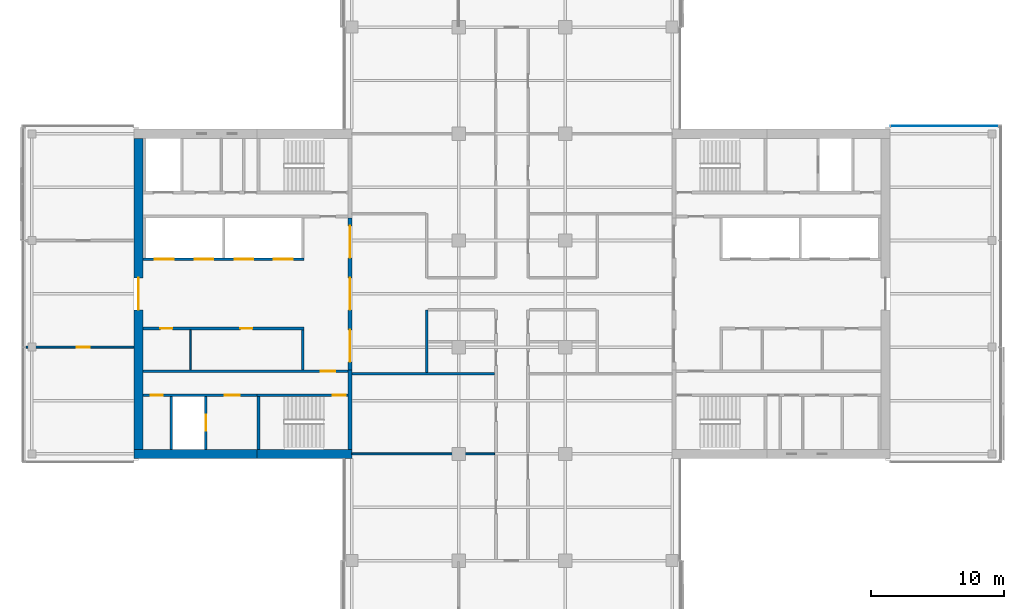
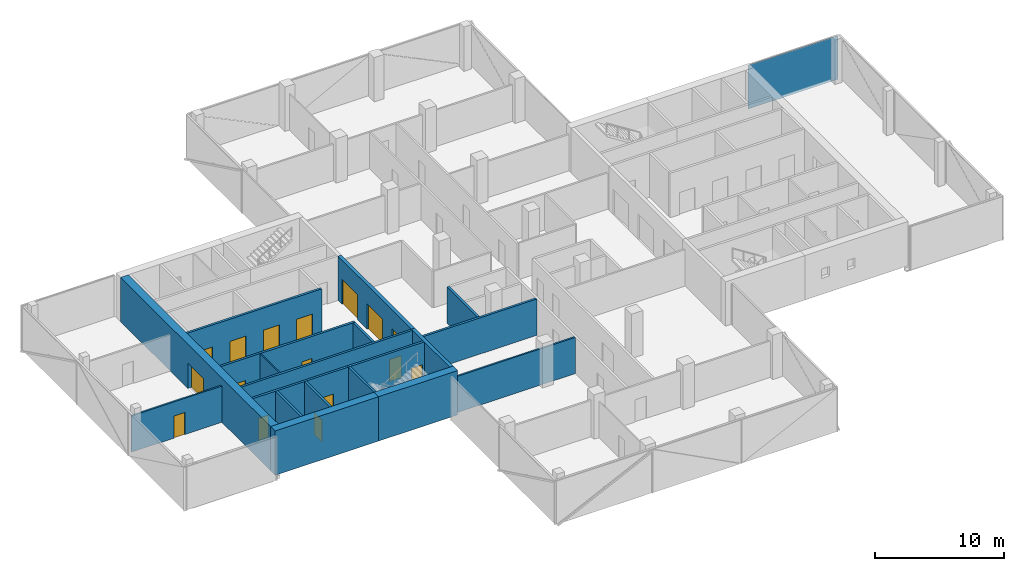
# One storey, part 13 of 22: 19 walls, 16 doors, 1 plate, 16 openings, 1 element without a shape of its own.
"""IFC4 building model written with IfcOpenShell, lengths in metres."""

from ifc_helpers import new_model, si_unit, direction, frame, frame_2d, origin, place, context, subcontext, project, spatial, polyline, rectangle, outline, extrude, material, layer, layer_set, constituent, constituent_set, type_object, element, fill, aggregate, save


model = new_model("IFC4")

# Units and contexts
model_context = context("Model", 3, precision=1e-05, world=origin(), true_north=direction((0.0, 1.0)))
body_context = subcontext(model_context, "Body", "Model", "MODEL_VIEW")
ifc_project = project(units=[si_unit("LENGTHUNIT", "METRE"), si_unit("AREAUNIT", "SQUARE_METRE"), si_unit("VOLUMEUNIT", "CUBIC_METRE"), si_unit("PLANEANGLEUNIT", "RADIAN"), si_unit("MASSUNIT", "GRAM", prefix="KILO")], contexts=[model_context])

# Site, building, storey
site_placement = place(None, origin())
site = spatial("IfcSite", under=ifc_project, at=site_placement, CompositionType="ELEMENT")
building_placement = place(site_placement, origin())
building = spatial("IfcBuilding", under=site, at=building_placement, Name="Crosswind Convention Tower", CompositionType="ELEMENT")
storey_placement = place(building_placement, frame((0.0, 0.0, 158.89990234375)))
storey = spatial("IfcBuildingStorey", under=building, at=storey_placement, Name="L33", CompositionType="ELEMENT", Elevation=158.89990234375)

# Curtain wall, plate
ifc_material_1 = material(Name="Aluminium unitised curtain wall", Category="aluminium")
curtain_wall_type = type_object("IfcCurtainWallType", Name="CORE END SLOT WALL 160", PredefinedType="USERDEFINED", material=ifc_material_1)
curtain_wall_placement = place(storey_placement, origin())
curtain_wall = element("IfcCurtainWall", 1, at=curtain_wall_placement, inside=storey, type_object=curtain_wall_type, Name="CW6 L33 E-N.1-1 slot", ObjectType="UNITISED", PredefinedType="USERDEFINED")
ifc_material_2 = material(Name="Laminated insulating glass unit", Category="glass")
ifc_layer_1 = layer(ifc_material_2, 0.02587890625)
ifc_layer_set_1 = layer_set([ifc_layer_1], Name="TRIANGULAR GLASS PANEL 26")
plate_type = type_object("IfcPlateType", Name="TRIANGULAR GLASS PANEL 26", PredefinedType="CURTAIN_PANEL", material=ifc_layer_set_1)
plate_placement = place(storey_placement, frame((161.449951171875, 112.60693359375, -0.2998046875), z_axis=(0.0, 0.999999915205, 0.00041181312), x_axis=(-1.0, 0.0, 0.0)))
plate = element("IfcPlate", 2, at=plate_placement, type_object=plate_type, Name="CW6 panel 1.1", PredefinedType="CURTAIN_PANEL", context=body_context, shape_type="SweptSolid", body=[
    extrude(outline(polyline([(0.0, 0.0), (8.050048828125, 0.0), (8.050048828125, 4.149902695641108), (0.0, 4.149902695641108), (0.0, 0.0)])), origin(), (0.0, 0.0, -1.0), 0.02587890625),
])
aggregate(curtain_wall, [plate])

# Walls
ifc_material_3 = material(Name="Concrete blockwork", Category="masonry")
ifc_layer_2 = layer(ifc_material_3, 0.199951171875)
ifc_layer_set_2 = layer_set([ifc_layer_2], Name="COMPARTMENT WALL 200 BLOCKWORK")
wall_type_1 = type_object("IfcWallType", Name="COMPARTMENT WALL 200 BLOCKWORK", PredefinedType="SOLIDWALL", material=ifc_layer_set_2)
wall_1_placement = place(storey_placement, frame((118.60009765625, 94.10009765625, 0.0), z_axis=(0.0, 0.0, 1.0), x_axis=(0.0, 1.0, 0.0)))
element("IfcWall", 3, at=wall_1_placement, inside=storey, type_object=wall_type_1, Name="Compartment wall WT42", PredefinedType="SOLIDWALL", context=body_context, shape_type="SweptSolid", body=[
    extrude(rectangle(XDim=4.699951171875, YDim=0.199951171875, at=frame_2d((2.35009765625, 0.0))), origin(), (0.0, 0.0, 1.0), 3.4365234375),
])
wall_2_placement = place(storey_placement, frame((113.0, 94.0, 0.0), z_axis=(0.0, 0.0, 1.0), x_axis=(1.0, 0.0, 0.0)))
element("IfcWall", 4, at=wall_2_placement, inside=storey, type_object=wall_type_1, Name="Compartment wall WT42", PredefinedType="SOLIDWALL", context=body_context, shape_type="SweptSolid", body=[
    extrude(rectangle(XDim=10.699951171875, YDim=0.199951171875, at=frame_2d((5.35009765625, 0.0))), origin(), (0.0, 0.0, 1.0), 3.4365234375),
])

# Wall, opening, door
ifc_material_4 = material(Name="Concrete C60/75", Category="concrete")
ifc_layer_3 = layer(ifc_material_4, 0.699951171875)
ifc_layer_set_3 = layer_set([ifc_layer_3], Name="Concrete C60/75")
wall_type_2 = type_object("IfcWallType", Name="Concrete core wall 700", PredefinedType="SHEAR", material=ifc_layer_set_3)
wall_3_placement = place(storey_placement, frame((97.0, 111.64990234375, 0.0), z_axis=(0.0, 0.0, 1.0), x_axis=(0.0, -1.0, 0.0)))
wall_3 = element("IfcWall", 5, at=wall_3_placement, inside=storey, type_object=wall_type_2, Name="Wall O W L33", PredefinedType="SHEAR", context=body_context, shape_type="SweptSolid", body=[
    extrude(rectangle(XDim=23.2998046875, YDim=0.699951171875, at=frame_2d((11.64990234375, 0.0))), origin(), (0.0, 0.0, 1.0), 4.2001953125),
])
opening_1_placement = place(wall_3_placement, frame((10.449951171875, 0.0, 0.0)))
opening_1 = element("IfcOpeningElement", 6, at=opening_1_placement, cuts=wall_3, Name="Opening D100", PredefinedType="OPENING", context=body_context, shape_type="SweptSolid", body=[
    extrude(rectangle(XDim=2.39990234375, YDim=2.39990234375, at=frame_2d((1.199951171875, 1.199951171875))), frame((0.0, 0.35986328125, 0.0), z_axis=(0.0, -1.0, 0.0), x_axis=(1.0, 0.0, 0.0)), (0.0, 0.0, 1.0), 0.719970703125),
])
ifc_material_5 = material(Name="Steel fire door with glazed vision panels", Category="steel")
door_type_1 = type_object("IfcDoorType", Name="Fire-rated double door 2400x2400", OperationType="DOUBLE_DOOR_SINGLE_SWING", PredefinedType="DOOR", material=ifc_material_5)
door_1_placement = place(opening_1_placement, origin())
door_1 = element("IfcDoor", 7, at=door_1_placement, inside=storey, type_object=door_type_1, Name="Lobby outer door L33", ObjectType="D100", OperationType="DOUBLE_DOOR_SINGLE_SWING", OverallHeight=2.39990234375, OverallWidth=2.39990234375, PredefinedType="DOOR", context=body_context, shape_type="SweptSolid", body=[
    extrude(rectangle(XDim=2.39990234375, YDim=2.39990234375, at=frame_2d((1.199951171875, 1.199951171875))), frame((0.0, 0.02490234375, 0.0), z_axis=(0.0, -1.0, 0.0), x_axis=(1.0, 0.0, 0.0)), (0.0, 0.0, 1.0), 0.050048828125),
])
fill(opening_1, door_1)

# Wall, openings, doors
ifc_material_6 = material(Name="Concrete C50/60", Category="concrete")
ifc_layer_4 = layer(ifc_material_6, 0.300048828125)
ifc_layer_set_4 = layer_set([ifc_layer_4], Name="Concrete C50/60")
wall_type_3 = type_object("IfcWallType", Name="Concrete inner core wall 300", PredefinedType="SHEAR", material=ifc_layer_set_4)
wall_4_placement = place(storey_placement, frame((112.85009765625, 105.699951171875, 0.0), z_axis=(0.0, 0.0, 1.0), x_axis=(0.0, -1.0, 0.0)))
wall_4 = element("IfcWall", 8, at=wall_4_placement, inside=storey, type_object=wall_type_3, Name="Wall SCR W L33", PredefinedType="SHEAR", context=body_context, shape_type="SweptSolid", body=[
    extrude(rectangle(XDim=11.39990234375, YDim=0.300048828125, at=frame_2d((5.699951171875, 0.0))), origin(), (0.0, 0.0, 1.0), 4.2001953125),
])
opening_2_placement = place(wall_4_placement, frame((0.60009765625, 0.0, 0.0)))
opening_2 = element("IfcOpeningElement", 9, at=opening_2_placement, cuts=wall_4, Name="Opening D100", PredefinedType="OPENING", context=body_context, shape_type="SweptSolid", body=[
    extrude(rectangle(XDim=2.39990234375, YDim=2.39990234375, at=frame_2d((1.199951171875, 1.199951171875))), frame((0.0, 0.159912109375, 0.0), z_axis=(0.0, -1.0, 0.0), x_axis=(1.0, 0.0, 0.0)), (0.0, 0.0, 1.0), 0.320068359375),
])
opening_3_placement = place(wall_4_placement, frame((4.5, 0.0, 0.0)))
opening_3 = element("IfcOpeningElement", 10, at=opening_3_placement, cuts=wall_4, Name="Opening D100", PredefinedType="OPENING", context=body_context, shape_type="SweptSolid", body=[
    extrude(rectangle(XDim=2.39990234375, YDim=2.39990234375, at=frame_2d((1.199951171875, 1.199951171875))), frame((0.0, 0.159912109375, 0.0), z_axis=(0.0, -1.0, 0.0), x_axis=(1.0, 0.0, 0.0)), (0.0, 0.0, 1.0), 0.320068359375),
])
opening_4_placement = place(wall_4_placement, frame((8.39990234375, 0.0, 0.0)))
opening_4 = element("IfcOpeningElement", 11, at=opening_4_placement, cuts=wall_4, Name="Opening D100", PredefinedType="OPENING", context=body_context, shape_type="SweptSolid", body=[
    extrude(rectangle(XDim=2.39990234375, YDim=2.39990234375, at=frame_2d((1.199951171875, 1.199951171875))), frame((0.0, 0.159912109375, 0.0), z_axis=(0.0, -1.0, 0.0), x_axis=(1.0, 0.0, 0.0)), (0.0, 0.0, 1.0), 0.320068359375),
])
door_2_placement = place(opening_2_placement, origin())
door_2 = element("IfcDoor", 12, at=door_2_placement, inside=storey, type_object=door_type_1, Name="Lobby door 1 L33", ObjectType="D100", OperationType="DOUBLE_DOOR_SINGLE_SWING", OverallHeight=2.39990234375, OverallWidth=2.39990234375, PredefinedType="DOOR", context=body_context, shape_type="SweptSolid", body=[
    extrude(rectangle(XDim=2.39990234375, YDim=2.39990234375, at=frame_2d((1.199951171875, 1.199951171875))), frame((0.0, 0.02490234375, 0.0), z_axis=(0.0, -1.0, 0.0), x_axis=(1.0, 0.0, 0.0)), (0.0, 0.0, 1.0), 0.050048828125),
])
fill(opening_2, door_2)
door_3_placement = place(opening_3_placement, origin())
door_3 = element("IfcDoor", 13, at=door_3_placement, inside=storey, type_object=door_type_1, Name="Lobby door 2 L33", ObjectType="D100", OperationType="DOUBLE_DOOR_SINGLE_SWING", OverallHeight=2.39990234375, OverallWidth=2.39990234375, PredefinedType="DOOR", context=body_context, shape_type="SweptSolid", body=[
    extrude(rectangle(XDim=2.39990234375, YDim=2.39990234375, at=frame_2d((1.199951171875, 1.199951171875))), frame((0.0, 0.02490234375, 0.0), z_axis=(0.0, -1.0, 0.0), x_axis=(1.0, 0.0, 0.0)), (0.0, 0.0, 1.0), 0.050048828125),
])
fill(opening_3, door_3)
door_4_placement = place(opening_4_placement, origin())
door_4 = element("IfcDoor", 14, at=door_4_placement, inside=storey, type_object=door_type_1, Name="Lobby door 3 L33", ObjectType="D100", OperationType="DOUBLE_DOOR_SINGLE_SWING", OverallHeight=2.39990234375, OverallWidth=2.39990234375, PredefinedType="DOOR", context=body_context, shape_type="SweptSolid", body=[
    extrude(rectangle(XDim=2.39990234375, YDim=2.39990234375, at=frame_2d((1.199951171875, 1.199951171875))), frame((0.0, 0.02490234375, 0.0), z_axis=(0.0, -1.0, 0.0), x_axis=(1.0, 0.0, 0.0)), (0.0, 0.0, 1.0), 0.050048828125),
])
fill(opening_4, door_4)

# Walls
wall_5_placement = place(storey_placement, frame((112.85009765625, 94.300048828125, 0.0), z_axis=(0.0, 0.0, 1.0), x_axis=(0.0, -1.0, 0.0)))
element("IfcWall", 15, at=wall_5_placement, inside=storey, type_object=wall_type_3, Name="Wall EP W L33", PredefinedType="SHEAR", context=body_context, shape_type="SweptSolid", body=[
    extrude(rectangle(XDim=5.949951171875, YDim=0.300048828125, at=frame_2d((2.97509765625, 0.0))), origin(), (0.0, 0.0, 1.0), 4.2001953125),
])
ifc_layer_5 = layer(ifc_material_6, 0.199951171875)
ifc_layer_set_5 = layer_set([ifc_layer_5], Name="Concrete C50/60")
wall_type_4 = type_object("IfcWallType", Name="Concrete shaft and stair wall 200", PredefinedType="SHEAR", material=ifc_layer_set_5)
wall_6_placement = place(storey_placement, frame((109.300048828125, 97.300048828125, 0.0), z_axis=(0.0, 0.0, 1.0), x_axis=(0.0, -1.0, 0.0)))
element("IfcWall", 16, at=wall_6_placement, inside=storey, type_object=wall_type_4, Name="Wall RPEND W L33", PredefinedType="SHEAR", context=body_context, shape_type="SweptSolid", body=[
    extrude(rectangle(XDim=3.0, YDim=0.199951171875, at=frame_2d((1.5, 0.0))), origin(), (0.0, 0.0, 1.0), 4.2001953125),
])

# Wall, openings, doors
wall_7_placement = place(storey_placement, frame((109.39990234375, 97.39990234375, 0.0), z_axis=(0.0, 0.0, 1.0), x_axis=(-1.0, 0.0, 0.0)))
wall_7 = element("IfcWall", 17, at=wall_7_placement, inside=storey, type_object=wall_type_4, Name="Wall RPFRONT W L33", PredefinedType="SHEAR", context=body_context, shape_type="SweptSolid", body=[
    extrude(rectangle(XDim=12.0498046875, YDim=0.199951171875, at=frame_2d((6.02490234375, 0.0))), origin(), (0.0, 0.0, 1.0), 4.2001953125),
])
opening_5_placement = place(wall_7_placement, frame((3.8662109375, 0.0, 0.0)))
opening_5 = element("IfcOpeningElement", 18, at=opening_5_placement, cuts=wall_7, Name="Opening D106", PredefinedType="OPENING", context=body_context, shape_type="SweptSolid", body=[
    extrude(rectangle(XDim=0.89990234375, YDim=2.10009765625, at=frame_2d((0.449951171875, 1.050048828125))), frame((0.0, 0.10986328125, 0.0), z_axis=(0.0, -1.0, 0.0), x_axis=(1.0, 0.0, 0.0)), (0.0, 0.0, 1.0), 0.219970703125),
])
opening_6_placement = place(wall_7_placement, frame((9.853759765625, 0.0, 0.0)))
opening_6 = element("IfcOpeningElement", 19, at=opening_6_placement, cuts=wall_7, Name="Opening D106", PredefinedType="OPENING", context=body_context, shape_type="SweptSolid", body=[
    extrude(rectangle(XDim=0.89990234375, YDim=2.10009765625, at=frame_2d((0.449951171875, 1.050048828125))), frame((0.0, 0.10986328125, 0.0), z_axis=(0.0, -1.0, 0.0), x_axis=(1.0, 0.0, 0.0)), (0.0, 0.0, 1.0), 0.219970703125),
])
ifc_material_7 = material(Name="Timber door", Category="wood")
door_type_2 = type_object("IfcDoorType", Name="Single leaf door 900x2100", OperationType="NOTDEFINED", PredefinedType="DOOR", material=ifc_material_7)
door_5_placement = place(opening_5_placement, origin())
door_5 = element("IfcDoor", 20, at=door_5_placement, inside=storey, type_object=door_type_2, Name="Door to meeting room L33", ObjectType="D106", OperationType="SINGLE_SWING_RIGHT", OverallHeight=2.10009765625, OverallWidth=0.89990234375, PredefinedType="DOOR", context=body_context, shape_type="SweptSolid", body=[
    extrude(rectangle(XDim=0.89990234375, YDim=2.10009765625, at=frame_2d((0.449951171875, 1.050048828125))), frame((0.0, 0.02490234375, 0.0), z_axis=(0.0, -1.0, 0.0), x_axis=(1.0, 0.0, 0.0)), (0.0, 0.0, 1.0), 0.050048828125),
])
fill(opening_5, door_5)
door_6_placement = place(opening_6_placement, origin())
door_6 = element("IfcDoor", 21, at=door_6_placement, inside=storey, type_object=door_type_2, Name="Door to pantry L33", ObjectType="D106", OperationType="SINGLE_SWING_RIGHT", OverallHeight=2.10009765625, OverallWidth=0.89990234375, PredefinedType="DOOR", context=body_context, shape_type="SweptSolid", body=[
    extrude(rectangle(XDim=0.89990234375, YDim=2.10009765625, at=frame_2d((0.449951171875, 1.050048828125))), frame((0.0, 0.02490234375, 0.0), z_axis=(0.0, -1.0, 0.0), x_axis=(1.0, 0.0, 0.0)), (0.0, 0.0, 1.0), 0.050048828125),
])
fill(opening_6, door_6)

wall_8_placement = place(storey_placement, frame((109.39990234375, 102.60009765625, 0.0), z_axis=(0.0, 0.0, 1.0), x_axis=(-1.0, 0.0, 0.0)))
wall_8 = element("IfcWall", 22, at=wall_8_placement, inside=storey, type_object=wall_type_4, Name="Wall RMFRONT W L33", PredefinedType="SHEAR", context=body_context, shape_type="SweptSolid", body=[
    extrude(rectangle(XDim=12.0498046875, YDim=0.199951171875, at=frame_2d((6.02490234375, 0.0))), origin(), (0.0, 0.0, 1.0), 4.2001953125),
])
opening_7_placement = place(wall_8_placement, frame((0.85009765625, 0.0, 0.0)))
opening_7 = element("IfcOpeningElement", 23, at=opening_7_placement, cuts=wall_8, Name="Opening LD2", PredefinedType="OPENING", context=body_context, shape_type="SweptSolid", body=[
    extrude(rectangle(XDim=1.39990234375, YDim=2.10009765625, at=frame_2d((0.699951171875, 1.050048828125))), frame((0.0, 0.10986328125, 0.0), z_axis=(0.0, -1.0, 0.0), x_axis=(1.0, 0.0, 0.0)), (0.0, 0.0, 1.0), 0.219970703125),
])
opening_8_placement = place(wall_8_placement, frame((3.800048828125, 0.0, 0.0)))
opening_8 = element("IfcOpeningElement", 24, at=opening_8_placement, cuts=wall_8, Name="Opening LD2", PredefinedType="OPENING", context=body_context, shape_type="SweptSolid", body=[
    extrude(rectangle(XDim=1.39990234375, YDim=2.10009765625, at=frame_2d((0.699951171875, 1.050048828125))), frame((0.0, 0.10986328125, 0.0), z_axis=(0.0, -1.0, 0.0), x_axis=(1.0, 0.0, 0.0)), (0.0, 0.0, 1.0), 0.219970703125),
])
opening_9_placement = place(wall_8_placement, frame((6.800048828125, 0.0, 0.0)))
opening_9 = element("IfcOpeningElement", 25, at=opening_9_placement, cuts=wall_8, Name="Opening LD2", PredefinedType="OPENING", context=body_context, shape_type="SweptSolid", body=[
    extrude(rectangle(XDim=1.39990234375, YDim=2.10009765625, at=frame_2d((0.699951171875, 1.050048828125))), frame((0.0, 0.10986328125, 0.0), z_axis=(0.0, -1.0, 0.0), x_axis=(1.0, 0.0, 0.0)), (0.0, 0.0, 1.0), 0.219970703125),
])
opening_10_placement = place(wall_8_placement, frame((9.77490234375, 0.0, 0.0)))
opening_10 = element("IfcOpeningElement", 26, at=opening_10_placement, cuts=wall_8, Name="Opening LD2", PredefinedType="OPENING", context=body_context, shape_type="SweptSolid", body=[
    extrude(rectangle(XDim=1.39990234375, YDim=2.10009765625, at=frame_2d((0.699951171875, 1.050048828125))), frame((0.0, 0.10986328125, 0.0), z_axis=(0.0, -1.0, 0.0), x_axis=(1.0, 0.0, 0.0)), (0.0, 0.0, 1.0), 0.219970703125),
])
ifc_material_8 = material(Name="Stainless steel", Category="steel")
door_type_3 = type_object("IfcDoorType", Name="Lift landing door 1400x2100", OperationType="DOUBLE_DOOR_SLIDING", PredefinedType="DOOR", material=ifc_material_8)
door_7_placement = place(opening_7_placement, origin())
door_7 = element("IfcDoor", 27, at=door_7_placement, inside=storey, type_object=door_type_3, Name="Landing door A5 L33", ObjectType="LD2", OperationType="DOUBLE_DOOR_SLIDING", OverallHeight=2.10009765625, OverallWidth=1.39990234375, PredefinedType="DOOR", context=body_context, shape_type="SweptSolid", body=[
    extrude(rectangle(XDim=1.39990234375, YDim=2.10009765625, at=frame_2d((0.699951171875, 1.050048828125))), frame((0.0, 0.02490234375, 0.0), z_axis=(0.0, -1.0, 0.0), x_axis=(1.0, 0.0, 0.0)), (0.0, 0.0, 1.0), 0.050048828125),
])
fill(opening_7, door_7)
door_8_placement = place(opening_8_placement, origin())
door_8 = element("IfcDoor", 28, at=door_8_placement, inside=storey, type_object=door_type_3, Name="Landing door A6 L33", ObjectType="LD2", OperationType="DOUBLE_DOOR_SLIDING", OverallHeight=2.10009765625, OverallWidth=1.39990234375, PredefinedType="DOOR", context=body_context, shape_type="SweptSolid", body=[
    extrude(rectangle(XDim=1.39990234375, YDim=2.10009765625, at=frame_2d((0.699951171875, 1.050048828125))), frame((0.0, 0.02490234375, 0.0), z_axis=(0.0, -1.0, 0.0), x_axis=(1.0, 0.0, 0.0)), (0.0, 0.0, 1.0), 0.050048828125),
])
fill(opening_8, door_8)
door_9_placement = place(opening_9_placement, origin())
door_9 = element("IfcDoor", 29, at=door_9_placement, inside=storey, type_object=door_type_3, Name="Landing door A7 L33", ObjectType="LD2", OperationType="DOUBLE_DOOR_SLIDING", OverallHeight=2.10009765625, OverallWidth=1.39990234375, PredefinedType="DOOR", context=body_context, shape_type="SweptSolid", body=[
    extrude(rectangle(XDim=1.39990234375, YDim=2.10009765625, at=frame_2d((0.699951171875, 1.050048828125))), frame((0.0, 0.02490234375, 0.0), z_axis=(0.0, -1.0, 0.0), x_axis=(1.0, 0.0, 0.0)), (0.0, 0.0, 1.0), 0.050048828125),
])
fill(opening_9, door_9)
door_10_placement = place(opening_10_placement, origin())
door_10 = element("IfcDoor", 30, at=door_10_placement, inside=storey, type_object=door_type_3, Name="Landing door A8 L33", ObjectType="LD2", OperationType="DOUBLE_DOOR_SLIDING", OverallHeight=2.10009765625, OverallWidth=1.39990234375, PredefinedType="DOOR", context=body_context, shape_type="SweptSolid", body=[
    extrude(rectangle(XDim=1.39990234375, YDim=2.10009765625, at=frame_2d((0.699951171875, 1.050048828125))), frame((0.0, 0.02490234375, 0.0), z_axis=(0.0, -1.0, 0.0), x_axis=(1.0, 0.0, 0.0)), (0.0, 0.0, 1.0), 0.050048828125),
])
fill(opening_10, door_10)

# Wall, opening, door
wall_9_placement = place(storey_placement, frame((112.699951171875, 94.199951171875, 0.0), z_axis=(0.0, 0.0, 1.0), x_axis=(-1.0, 0.0, 0.0)))
wall_9 = element("IfcWall", 31, at=wall_9_placement, inside=storey, type_object=wall_type_4, Name="Wall HP W L33", PredefinedType="SHEAR", context=body_context, shape_type="SweptSolid", body=[
    extrude(rectangle(XDim=15.349853515625, YDim=0.199951171875, at=frame_2d((7.6748046875, 0.0))), origin(), (0.0, 0.0, 1.0), 4.2001953125),
])
opening_11_placement = place(wall_9_placement, frame((0.949951171875, 0.0, 0.0)))
opening_11 = element("IfcOpeningElement", 32, at=opening_11_placement, cuts=wall_9, Name="Opening D104", PredefinedType="OPENING", context=body_context, shape_type="SweptSolid", body=[
    extrude(rectangle(XDim=1.10009765625, YDim=2.10009765625, at=frame_2d((0.550048828125, 1.050048828125))), frame((0.0, 0.10986328125, 0.0), z_axis=(0.0, -1.0, 0.0), x_axis=(1.0, 0.0, 0.0)), (0.0, 0.0, 1.0), 0.219970703125),
])
ifc_material_9 = material(Name="Steel fire door", Category="steel")
door_type_4 = type_object("IfcDoorType", Name="Fire-rated single door 1100x2100", OperationType="NOTDEFINED", PredefinedType="DOOR", material=ifc_material_9)
door_11_placement = place(opening_11_placement, origin())
door_11 = element("IfcDoor", 33, at=door_11_placement, inside=storey, type_object=door_type_4, Name="Corridor door L33", ObjectType="D104", OperationType="SINGLE_SWING_LEFT", OverallHeight=2.10009765625, OverallWidth=1.10009765625, PredefinedType="DOOR", context=body_context, shape_type="SweptSolid", body=[
    extrude(rectangle(XDim=1.10009765625, YDim=2.10009765625, at=frame_2d((0.550048828125, 1.050048828125))), frame((0.0, 0.02490234375, 0.0), z_axis=(0.0, -1.0, 0.0), x_axis=(1.0, 0.0, 0.0)), (0.0, 0.0, 1.0), 0.050048828125),
])
fill(opening_11, door_11)

# Wall
wall_10_placement = place(storey_placement, frame((106.0, 92.300048828125, 0.0), z_axis=(0.0, 0.0, 1.0), x_axis=(0.0, -1.0, 0.0)))
element("IfcWall", 34, at=wall_10_placement, inside=storey, type_object=wall_type_4, Name="Wall PSE W L33", PredefinedType="SHEAR", context=body_context, shape_type="SweptSolid", body=[
    extrude(rectangle(XDim=3.949951171875, YDim=0.199951171875, at=frame_2d((1.97509765625, 0.0))), origin(), (0.0, 0.0, 1.0), 4.2001953125),
])

# Wall, opening, door
wall_11_placement = place(storey_placement, frame((102.050048828125, 92.300048828125, 0.0), z_axis=(0.0, 0.0, 1.0), x_axis=(0.0, -1.0, 0.0)))
wall_11 = element("IfcWall", 35, at=wall_11_placement, inside=storey, type_object=wall_type_4, Name="Wall PFLW W L33", PredefinedType="SHEAR", context=body_context, shape_type="SweptSolid", body=[
    extrude(rectangle(XDim=3.949951171875, YDim=0.199951171875, at=frame_2d((1.97509765625, 0.0))), origin(), (0.0, 0.0, 1.0), 4.2001953125),
])
opening_12_placement = place(wall_11_placement, frame((1.375, 0.0, 0.0)))
opening_12 = element("IfcOpeningElement", 36, at=opening_12_placement, cuts=wall_11, Name="Opening LD1", PredefinedType="OPENING", context=body_context, shape_type="SweptSolid", body=[
    extrude(rectangle(XDim=1.199951171875, YDim=2.10009765625, at=frame_2d((0.60009765625, 1.050048828125))), frame((0.0, 0.10986328125, 0.0), z_axis=(0.0, -1.0, 0.0), x_axis=(1.0, 0.0, 0.0)), (0.0, 0.0, 1.0), 0.219970703125),
])
door_type_5 = type_object("IfcDoorType", Name="Lift landing door 1200x2100", OperationType="DOUBLE_DOOR_SLIDING", PredefinedType="DOOR", material=ifc_material_8)
door_12_placement = place(opening_12_placement, origin())
door_12 = element("IfcDoor", 37, at=door_12_placement, inside=storey, type_object=door_type_5, Name="Landing door FF2 L33", ObjectType="LD1", OperationType="DOUBLE_DOOR_SLIDING", OverallHeight=2.10009765625, OverallWidth=1.199951171875, PredefinedType="DOOR", context=body_context, shape_type="SweptSolid", body=[
    extrude(rectangle(XDim=1.199951171875, YDim=2.10009765625, at=frame_2d((0.60009765625, 1.050048828125))), frame((0.0, 0.02490234375, 0.0), z_axis=(0.0, -1.0, 0.0), x_axis=(1.0, 0.0, 0.0)), (0.0, 0.0, 1.0), 0.050048828125),
])
fill(opening_12, door_12)

# Wall
wall_12_placement = place(storey_placement, frame((99.449951171875, 92.300048828125, 0.0), z_axis=(0.0, 0.0, 1.0), x_axis=(0.0, -1.0, 0.0)))
element("IfcWall", 38, at=wall_12_placement, inside=storey, type_object=wall_type_4, Name="Wall PFSE W L33", PredefinedType="SHEAR", context=body_context, shape_type="SweptSolid", body=[
    extrude(rectangle(XDim=3.949951171875, YDim=0.199951171875, at=frame_2d((1.97509765625, 0.0))), origin(), (0.0, 0.0, 1.0), 4.2001953125),
])

# Wall, opening, door
wall_13_placement = place(storey_placement, frame((112.699951171875, 92.39990234375, 0.0), z_axis=(0.0, 0.0, 1.0), x_axis=(-1.0, 0.0, 0.0)))
wall_13 = element("IfcWall", 39, at=wall_13_placement, inside=storey, type_object=wall_type_4, Name="Wall PCW W L33", PredefinedType="SHEAR", context=body_context, shape_type="SweptSolid", body=[
    extrude(rectangle(XDim=6.800048828125, YDim=0.199951171875, at=frame_2d((3.39990234375, 0.0))), origin(), (0.0, 0.0, 1.0), 4.2001953125),
])
opening_13_placement = place(wall_13_placement, frame((0.14990234375, 0.0, 0.0)))
opening_13 = element("IfcOpeningElement", 40, at=opening_13_placement, cuts=wall_13, Name="Opening D103", PredefinedType="OPENING", context=body_context, shape_type="SweptSolid", body=[
    extrude(rectangle(XDim=1.0, YDim=2.10009765625, at=frame_2d((0.5, 1.050048828125))), frame((0.0, 0.10986328125, 0.0), z_axis=(0.0, -1.0, 0.0), x_axis=(1.0, 0.0, 0.0)), (0.0, 0.0, 1.0), 0.219970703125),
])
door_type_6 = type_object("IfcDoorType", Name="Fire-rated single door 1000x2100", OperationType="NOTDEFINED", PredefinedType="DOOR", material=ifc_material_9)
door_13_placement = place(opening_13_placement, origin())
door_13 = element("IfcDoor", 41, at=door_13_placement, inside=storey, type_object=door_type_6, Name="Stair ST3 door L33", ObjectType="D103", OperationType="SINGLE_SWING_LEFT", OverallHeight=2.10009765625, OverallWidth=1.0, PredefinedType="DOOR", context=body_context, shape_type="SweptSolid", body=[
    extrude(rectangle(XDim=1.0, YDim=2.10009765625, at=frame_2d((0.5, 1.050048828125))), frame((0.0, 0.02490234375, 0.0), z_axis=(0.0, -1.0, 0.0), x_axis=(1.0, 0.0, 0.0)), (0.0, 0.0, 1.0), 0.050048828125),
])
fill(opening_13, door_13)

# Wall, openings, doors
wall_14_placement = place(storey_placement, frame((105.89990234375, 92.39990234375, 0.0), z_axis=(0.0, 0.0, 1.0), x_axis=(-1.0, 0.0, 0.0)))
wall_14 = element("IfcWall", 42, at=wall_14_placement, inside=storey, type_object=wall_type_4, Name="Wall PCX W L33", PredefinedType="SHEAR", context=body_context, shape_type="SweptSolid", body=[
    extrude(rectangle(XDim=8.5498046875, YDim=0.199951171875, at=frame_2d((4.27490234375, 0.0))), origin(), (0.0, 0.0, 1.0), 4.2001953125),
])
opening_14_placement = place(wall_14_placement, frame((1.324951171875, 0.0, 0.0)))
opening_14 = element("IfcOpeningElement", 43, at=opening_14_placement, cuts=wall_14, Name="Opening D104", PredefinedType="OPENING", context=body_context, shape_type="SweptSolid", body=[
    extrude(rectangle(XDim=1.10009765625, YDim=2.10009765625, at=frame_2d((0.550048828125, 1.050048828125))), frame((0.0, 0.10986328125, 0.0), z_axis=(0.0, -1.0, 0.0), x_axis=(1.0, 0.0, 0.0)), (0.0, 0.0, 1.0), 0.219970703125),
])
opening_15_placement = place(wall_14_placement, frame((7.10009765625, 0.0, 0.0)))
opening_15 = element("IfcOpeningElement", 44, at=opening_15_placement, cuts=wall_14, Name="Opening D106", PredefinedType="OPENING", context=body_context, shape_type="SweptSolid", body=[
    extrude(rectangle(XDim=0.89990234375, YDim=2.10009765625, at=frame_2d((0.449951171875, 1.050048828125))), frame((0.0, 0.10986328125, 0.0), z_axis=(0.0, -1.0, 0.0), x_axis=(1.0, 0.0, 0.0)), (0.0, 0.0, 1.0), 0.219970703125),
])
door_14_placement = place(opening_14_placement, origin())
door_14 = element("IfcDoor", 45, at=door_14_placement, inside=storey, type_object=door_type_4, Name="Fire-fighting lobby FF2 door L33", ObjectType="D104", OperationType="SINGLE_SWING_RIGHT", OverallHeight=2.10009765625, OverallWidth=1.10009765625, PredefinedType="DOOR", context=body_context, shape_type="SweptSolid", body=[
    extrude(rectangle(XDim=1.10009765625, YDim=2.10009765625, at=frame_2d((0.550048828125, 1.050048828125))), frame((0.0, 0.02490234375, 0.0), z_axis=(0.0, -1.0, 0.0), x_axis=(1.0, 0.0, 0.0)), (0.0, 0.0, 1.0), 0.050048828125),
])
fill(opening_14, door_14)
door_15_placement = place(opening_15_placement, origin())
door_15 = element("IfcDoor", 46, at=door_15_placement, inside=storey, type_object=door_type_2, Name="Door to comms room L33", ObjectType="D106", OperationType="SINGLE_SWING_RIGHT", OverallHeight=2.10009765625, OverallWidth=0.89990234375, PredefinedType="DOOR", context=body_context, shape_type="SweptSolid", body=[
    extrude(rectangle(XDim=0.89990234375, YDim=2.10009765625, at=frame_2d((0.449951171875, 1.050048828125))), frame((0.0, 0.02490234375, 0.0), z_axis=(0.0, -1.0, 0.0), x_axis=(1.0, 0.0, 0.0)), (0.0, 0.0, 1.0), 0.050048828125),
])
fill(opening_15, door_15)

# Walls
ifc_material_10 = material(Name="Gypsum plasterboard partition", Category="gypsum")
ifc_layer_6 = layer(ifc_material_10, 0.125)
ifc_layer_set_6 = layer_set([ifc_layer_6], Name="Drywall partition wall 125")
wall_type_5 = type_object("IfcWallType", Name="Drywall partition wall 125", PredefinedType="PARTITIONING", material=ifc_layer_set_6)
wall_15_placement = place(storey_placement, frame((100.905029296875, 97.300048828125, 0.0), z_axis=(0.0, 0.0, 1.0), x_axis=(0.0, -1.0, 0.0)))
element("IfcWall", 47, at=wall_15_placement, inside=storey, type_object=wall_type_5, Name="Wall RPP1 W L33", PredefinedType="PARTITIONING", context=body_context, shape_type="SweptSolid", body=[
    extrude(rectangle(XDim=3.0, YDim=0.125, at=frame_2d((1.5, 0.0))), origin(), (0.0, 0.0, 1.0), 4.2001953125),
])
ifc_material_11 = material(Name="Fire-board partition with mineral wool", Category="gypsum")
ifc_layer_7 = layer(ifc_material_11, 0.14990234375)
ifc_layer_set_7 = layer_set([ifc_layer_7], Name="TENANCY WALL 150 TWO-HOUR BOARD")
wall_type_6 = type_object("IfcWallType", Name="TENANCY WALL 150 TWO-HOUR BOARD", PredefinedType="PARTITIONING", material=ifc_layer_set_7)
wall_16_placement = place(storey_placement, frame((113.0, 88.0, 0.0), z_axis=(0.0, 0.0, 1.0), x_axis=(1.0, 0.0, 0.0)))
element("IfcWall", 48, at=wall_16_placement, inside=storey, type_object=wall_type_6, Name="Tenancy wall WT41", PredefinedType="PARTITIONING", context=body_context, shape_type="SweptSolid", body=[
    extrude(rectangle(XDim=10.699951171875, YDim=0.14990234375, at=frame_2d((5.35009765625, 0.0))), origin(), (0.0, 0.0, 1.0), 3.4365234375),
])

# Wall, opening, door
wall_17_placement = place(storey_placement, frame((88.580078125, 96.0, 0.0), z_axis=(0.0, 0.0, 1.0), x_axis=(1.0, 0.0, 0.0)))
wall_17 = element("IfcWall", 49, at=wall_17_placement, inside=storey, type_object=wall_type_6, Name="Tenancy wall WT41", PredefinedType="PARTITIONING", context=body_context, shape_type="SweptSolid", body=[
    extrude(rectangle(XDim=8.06982421875, YDim=0.14990234375, at=frame_2d((4.034912109375, 0.0))), origin(), (0.0, 0.0, 1.0), 3.4365234375),
])
opening_16_placement = place(wall_17_placement, frame((3.77001953125, 0.0, 0.0)))
opening_16 = element("IfcOpeningElement", 50, at=opening_16_placement, cuts=wall_17, Name="Opening L33-67", PredefinedType="OPENING", context=body_context, shape_type="SweptSolid", body=[
    extrude(rectangle(XDim=1.0, YDim=2.10009765625, at=frame_2d((0.5, 1.050048828125))), frame((0.0, 0.0849609375, 0.0), z_axis=(0.0, -1.0, 0.0), x_axis=(1.0, 0.0, 0.0)), (0.0, 0.0, 1.0), 0.169921875),
])
ifc_material_12 = material(Name="Timber fire door", Category="wood")
door_type_7 = type_object("IfcDoorType", Name="TENANCY ENTRANCE DOOR 1000X2100 FD30S", OperationType="NOTDEFINED", PredefinedType="DOOR", material=ifc_material_12)
door_16_placement = place(opening_16_placement, frame((1.0, 0.0, 0.0), z_axis=(0.0, 0.0, 1.0), x_axis=(-1.0, 0.0, 0.0)))
door_16 = element("IfcDoor", 51, at=door_16_placement, inside=storey, type_object=door_type_7, Name="Door L33-67", ObjectType="D41", OperationType="SINGLE_SWING_RIGHT", OverallHeight=2.10009765625, OverallWidth=1.0, PredefinedType="DOOR", context=body_context, shape_type="SweptSolid", body=[
    extrude(rectangle(XDim=1.0, YDim=2.10009765625, at=frame_2d((0.5, 1.050048828125))), frame((0.0, 0.02490234375, 0.0), z_axis=(0.0, -1.0, 0.0), x_axis=(1.0, 0.0, 0.0)), (0.0, 0.0, 1.0), 0.050048828125),
])
fill(opening_16, door_16)

# Walls
ifc_constituent_1 = constituent(ifc_material_4, Name="Structure")
ifc_material_13 = material(Name="Terracotta rainscreen", Category="ceramic")
ifc_constituent_2 = constituent(ifc_material_13, Name="Facing")
ifc_constituent_set = constituent_set(constituents=[ifc_constituent_1, ifc_constituent_2], Name="Concrete C60/75, Terracotta rainscreen")
wall_type_7 = type_object("IfcWallType", Name="Terracotta rainscreen on concrete core wall 700", PredefinedType="SHEAR", material=ifc_constituent_set)
wall_18_placement = place(storey_placement, frame((113.0, 88.0, 0.0), z_axis=(0.0, 0.0, 1.0), x_axis=(-1.0, 0.0, 0.0)))
element("IfcWall", 52, at=wall_18_placement, inside=storey, type_object=wall_type_7, Name="Wall N1 W L33", PredefinedType="SHEAR", context=body_context, shape_type="SweptSolid", body=[
    extrude(rectangle(XDim=7.10009765625, YDim=0.699951171875, at=frame_2d((3.550048828125, 0.0))), origin(), (0.0, 0.0, 1.0), 4.2001953125),
])
wall_19_placement = place(storey_placement, frame((105.89990234375, 88.0, 0.0), z_axis=(0.0, 0.0, 1.0), x_axis=(-1.0, 0.0, 0.0)))
element("IfcWall", 53, at=wall_19_placement, inside=storey, type_object=wall_type_7, Name="Wall N2 W L33", PredefinedType="SHEAR", context=body_context, shape_type="SweptSolid", body=[
    extrude(rectangle(XDim=9.25, YDim=0.699951171875, at=frame_2d((4.625, 0.0))), origin(), (0.0, 0.0, 1.0), 4.2001953125),
])

save(model, "model.ifc")
